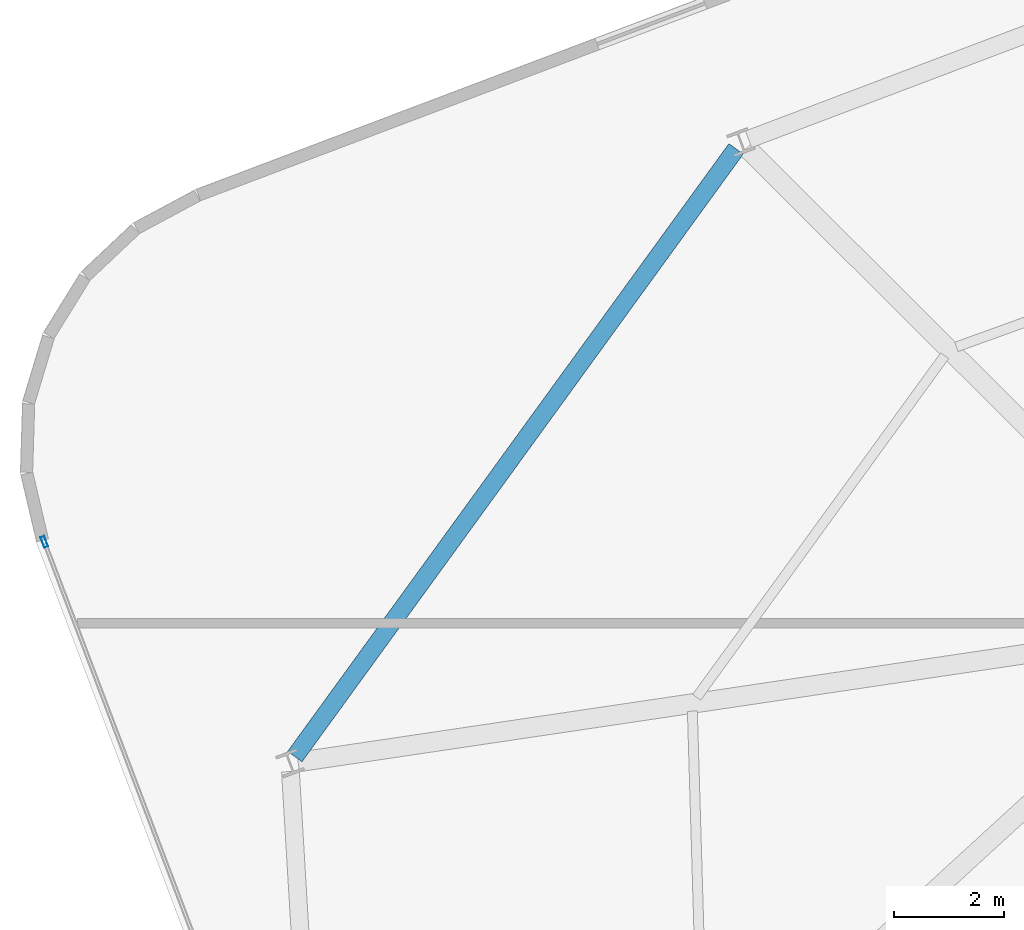
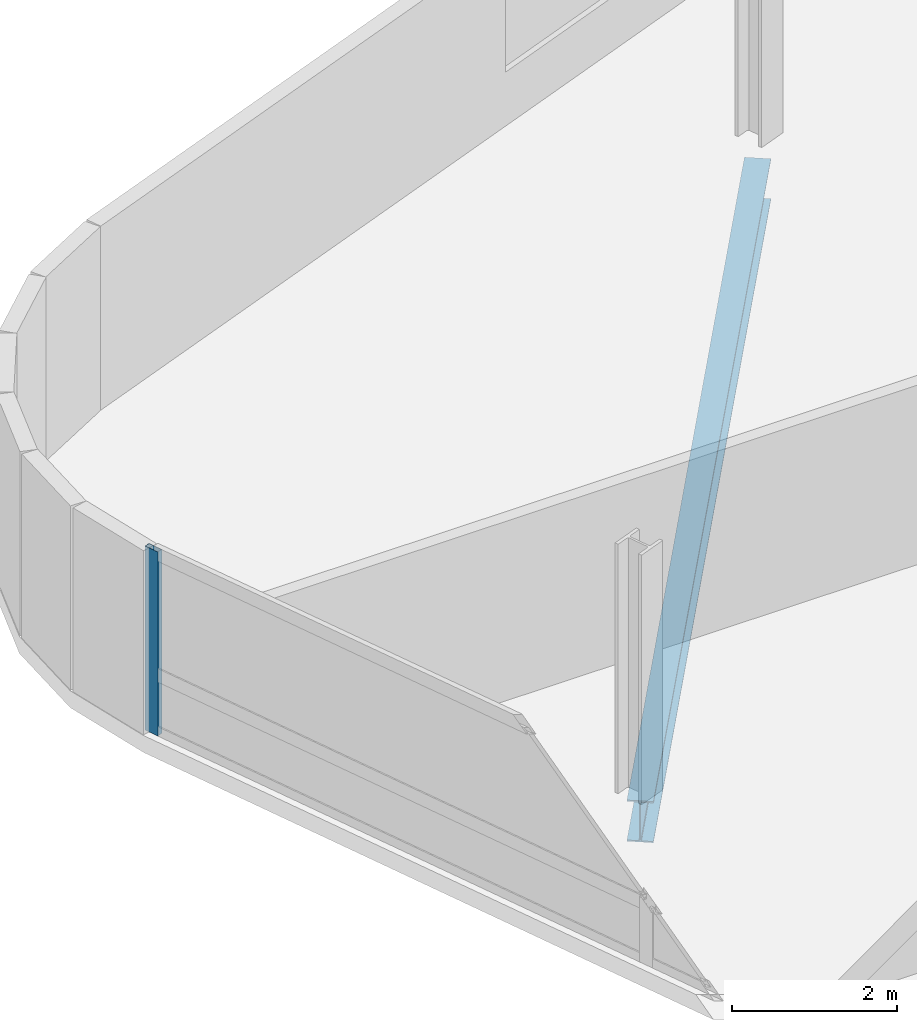
# One storey, part 8 of 20: 1 beam, 1 member, 1 element without a shape of its own.
"""IFC4 building model written with IfcOpenShell, lengths in metres."""

from ifc_helpers import new_model, si_unit, direction, frame, origin, origin_2d, place, context, subcontext, project, spatial, hollow_rectangle, i_section, extrude, material, layer, layer_set, material_profile, profile_set, type_object, element, aggregate, save


model = new_model("IFC4")

# Units and contexts
model_context = context("Model", 3, precision=1e-05, world=origin(), true_north=direction((0.0, 1.0)))
body_context = subcontext(model_context, "Body", "Model", "MODEL_VIEW")
ifc_project = project(units=[si_unit("LENGTHUNIT", "METRE"), si_unit("AREAUNIT", "SQUARE_METRE"), si_unit("VOLUMEUNIT", "CUBIC_METRE"), si_unit("PLANEANGLEUNIT", "RADIAN"), si_unit("MASSUNIT", "GRAM", prefix="KILO")], contexts=[model_context])

# Site, building, storey
site_placement = place(None, origin())
site = spatial("IfcSite", under=ifc_project, at=site_placement, CompositionType="ELEMENT")
building_placement = place(site_placement, origin())
building = spatial("IfcBuilding", under=site, at=building_placement, Name="Varnelok Gate Tower", CompositionType="ELEMENT")
storey_placement = place(building_placement, frame((0.0, 0.0, 220.10009765625)))
storey = spatial("IfcBuildingStorey", under=building, at=storey_placement, Name="L56", CompositionType="ELEMENT", Elevation=220.10009765625)

# Beam
ifc_material_1 = material(Name="Structural Steel ASTM A992 Grade 50", Category="steel")
ifc_material_profile_1 = material_profile(ifc_material_1, i_section(OverallWidth=0.323974609375, OverallDepth=0.611083984375, WebThickness=0.0126953125, FlangeThickness=0.01904296875, FilletRadius=0.01806640625, at=origin_2d()), Name="W24X104")
ifc_profile_set_1 = profile_set([ifc_material_profile_1], Name="Structural Steel ASTM A992 Grade 50")
beam_type = type_object("IfcBeamType", Name="BM-SPN-W24X104", PredefinedType="SPANDREL", material=ifc_profile_set_1)
beam_placement = place(storey_placement, frame((15.479736328125, 35.35009765625, -0.5556640625), z_axis=(-0.587549324529, -0.80918835338, 0.0), x_axis=(0.80918835338, -0.587549324529, 0.0)))
element("IfcBeam", 1, at=beam_placement, inside=storey, type_object=beam_type, Name="L56 Perimeter Spandrel Beam 13", PredefinedType="SPANDREL", context=body_context, shape_type="SweptSolid", body=[
    extrude(i_section(OverallWidth=0.323974609375, OverallDepth=0.611083984375, WebThickness=0.0126953125, FlangeThickness=0.01904296875, FilletRadius=0.01806640625, at=origin_2d()), origin(), (0.0, 0.0, 1.0), 13.6953125),
])

# Curtain wall, member
ifc_material_2 = material(Name="Anodized Aluminum Alloy 6063-T6", Category="aluminium")
ifc_layer = layer(ifc_material_2, 0.179931640625)
ifc_layer_set = layer_set([ifc_layer], Name="Anodized Aluminum Alloy 6063-T6")
curtain_wall_type = type_object("IfcCurtainWallType", Name="CW4-RESIDENCE-VISION", PredefinedType="USERDEFINED", material=ifc_layer_set)
curtain_wall_placement = place(storey_placement, origin())
curtain_wall = element("IfcCurtainWall", 2, at=curtain_wall_placement, inside=storey, type_object=curtain_wall_type, Name="L56 West End Vision Curtain Wall", ObjectType="UNITISED CURTAIN WALL", PredefinedType="USERDEFINED")
ifc_material_profile_2 = material_profile(ifc_material_2, hollow_rectangle(XDim=0.074951171875, YDim=0.199951171875, WallThickness=0.00390625, at=origin_2d()), Name="ALU200X75X4")
ifc_profile_set_2 = profile_set([ifc_material_profile_2], Name="Anodized Aluminum Alloy 6063-T6")
member_type = type_object("IfcMemberType", Name="CW-MULL-200", PredefinedType="MULLION", material=ifc_profile_set_2)
member_placement = place(storey_placement, frame((2.864990234375, 28.1845703125, 0.0), z_axis=(0.0, 0.0, 1.0), x_axis=(-0.935221557832, -0.354063042079, 0.0)))
member = element("IfcMember", 3, at=member_placement, type_object=member_type, Name="CW4 mullion 5", PredefinedType="MULLION", context=body_context, shape_type="SweptSolid", body=[
    extrude(hollow_rectangle(XDim=0.074951171875, YDim=0.199951171875, WallThickness=0.00390625, at=origin_2d()), origin(), (0.0, 0.0, 1.0), 2.72998046875),
])
aggregate(curtain_wall, [member])

save(model, "model.ifc")
